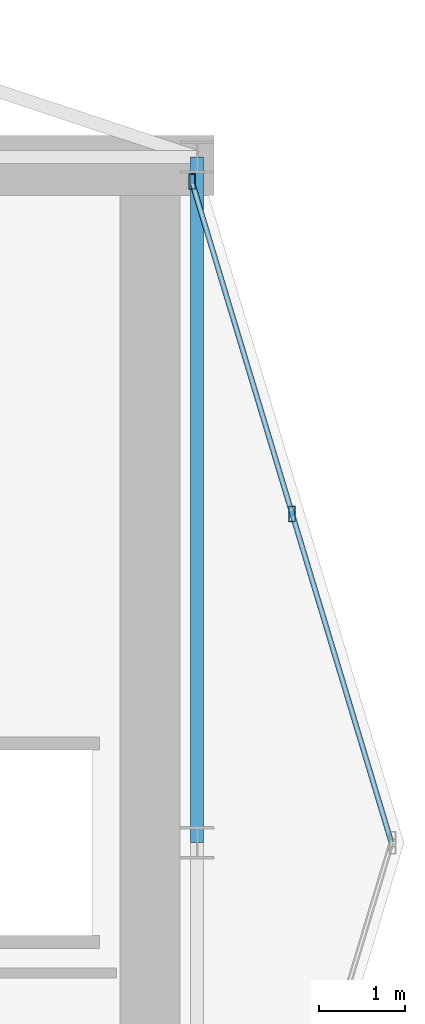
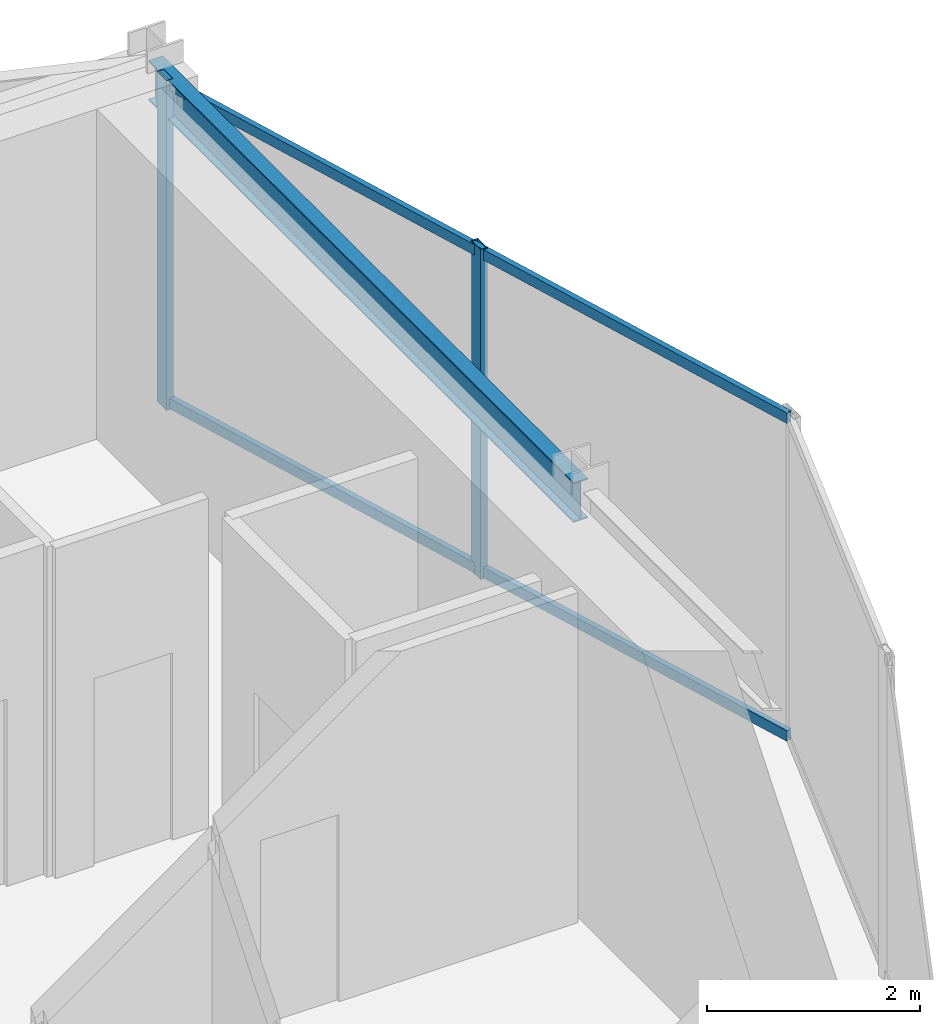
# One storey, part 17 of 23: 4 members, 1 beam, 1 element without a shape of its own.
"""IFC4 building model written with IfcOpenShell, lengths in metres."""

from ifc_helpers import new_model, si_unit, direction, frame, origin, origin_2d, place, context, subcontext, project, spatial, hollow_rectangle, i_section, extrude, material, layer, layer_set, material_profile, profile_set, type_object, element, aggregate, save


model = new_model("IFC4")

# Units and contexts
model_context = context("Model", 3, precision=1e-05, world=origin(), true_north=direction((0.0, 1.0)))
body_context = subcontext(model_context, "Body", "Model", "MODEL_VIEW")
ifc_project = project(units=[si_unit("LENGTHUNIT", "METRE"), si_unit("AREAUNIT", "SQUARE_METRE"), si_unit("VOLUMEUNIT", "CUBIC_METRE"), si_unit("PLANEANGLEUNIT", "RADIAN"), si_unit("MASSUNIT", "GRAM", prefix="KILO")], contexts=[model_context])

# Site, building, storey
site_placement = place(None, origin())
site = spatial("IfcSite", under=ifc_project, at=site_placement, CompositionType="ELEMENT")
building_placement = place(site_placement, origin())
building = spatial("IfcBuilding", under=site, at=building_placement, Name="Veymaron Broadcast Tower", CompositionType="ELEMENT")
storey_placement = place(building_placement, frame((0.0, 0.0, 224.25)))
storey = spatial("IfcBuildingStorey", under=building, at=storey_placement, Name="L52", CompositionType="ELEMENT", Elevation=224.25)

# Beam
ifc_material_1 = material(Name="Structural steel ASTM A992 Gr 50", Category="steel")
ifc_material_profile_1 = material_profile(ifc_material_1, i_section(OverallWidth=0.154052734375, OverallDepth=0.458984375, WebThickness=0.009033203125, FlangeThickness=0.015380859375, at=origin_2d()), Name="W460X68")
ifc_profile_set_1 = profile_set([ifc_material_profile_1], Name="Structural steel ASTM A992 Gr 50")
beam_type = type_object("IfcBeamType", Name="BM-SP2", PredefinedType="SPANDREL", material=ifc_profile_set_1)
beam_placement = place(storey_placement, frame((54.60009765625, 24.0, 3.560546875), z_axis=(0.0, 1.0, 0.0), x_axis=(-1.0, 0.0, 0.0)))
element("IfcBeam", 1, at=beam_placement, inside=storey, type_object=beam_type, Name="L52 primary structural floor girder", PredefinedType="SPANDREL", context=body_context, shape_type="SweptSolid", body=[
    extrude(i_section(OverallWidth=0.154052734375, OverallDepth=0.458984375, WebThickness=0.009033203125, FlangeThickness=0.015380859375, at=origin_2d()), origin(), (0.0, 0.0, 1.0), 8.0),
])

# Curtain wall, members
ifc_material_2 = material(Name="Anodised aluminium AA 6063-T6 and laminated low-E dark glass", Category="aluminium")
ifc_layer = layer(ifc_material_2, 0.179931640625)
ifc_layer_set = layer_set([ifc_layer], Name="Anodised aluminium AA 6063-T6 and laminated low-E dark glass")
curtain_wall_type = type_object("IfcCurtainWallType", Name="CW-SYS-05", PredefinedType="NOTDEFINED", material=ifc_layer_set)
curtain_wall_placement = place(storey_placement, origin())
curtain_wall = element("IfcCurtainWall", 2, at=curtain_wall_placement, inside=storey, type_object=curtain_wall_type, Name="L52 dark-glass curtain wall CW-L52-E3-1", PredefinedType="NOTDEFINED")
ifc_material_3 = material(Name="Anodised aluminium AA 6063-T6", Category="aluminium")
ifc_material_profile_2 = material_profile(ifc_material_3, hollow_rectangle(XDim=0.074951171875, YDim=0.179931640625, WallThickness=0.0048828125, at=origin_2d()), Name="AL180X75X5")
ifc_profile_set_2 = profile_set([ifc_material_profile_2], Name="Anodised aluminium AA 6063-T6")
member_type_1 = type_object("IfcMemberType", Name="CW-MUL-02", PredefinedType="MULLION", material=ifc_profile_set_2)
member_1_placement = place(storey_placement, frame((55.710205078125, 27.837646484375, 0.0), z_axis=(0.0, 0.0, 1.0), x_axis=(1.0, 0.0, 0.0)))
member_1 = element("IfcMember", 3, at=member_1_placement, type_object=member_type_1, Name="CW-L52-E3-1 mullion 1", PredefinedType="MULLION", context=body_context, shape_type="SweptSolid", body=[
    extrude(hollow_rectangle(XDim=0.074951171875, YDim=0.179931640625, WallThickness=0.0048828125, at=origin_2d()), origin(), (0.0, 0.0, 1.0), 3.7900390625),
])
member_2_placement = place(storey_placement, frame((54.53955078125, 31.716064453125, 0.0), z_axis=(0.0, 0.0, 1.0), x_axis=(1.0, 0.0, 0.0)))
member_2 = element("IfcMember", 4, at=member_2_placement, type_object=member_type_1, Name="CW-L52-E3-1 mullion 2", PredefinedType="MULLION", context=body_context, shape_type="SweptSolid", body=[
    extrude(hollow_rectangle(XDim=0.074951171875, YDim=0.179931640625, WallThickness=0.0048828125, at=origin_2d()), origin(), (0.0, 0.0, 1.0), 3.7900390625),
])
ifc_material_profile_3 = material_profile(ifc_material_3, hollow_rectangle(XDim=0.06005859375, YDim=0.1201171875, WallThickness=0.00390625, at=origin_2d()), Name="AL120X60X4")
ifc_profile_set_3 = profile_set([ifc_material_profile_3], Name="Anodised aluminium AA 6063-T6")
member_type_2 = type_object("IfcMemberType", Name="CW-TRN-02", PredefinedType="USERDEFINED", material=ifc_profile_set_3)
member_3_placement = place(storey_placement, frame((56.86669921875, 24.00732421875, 0.070068359375), z_axis=(-0.289007229702, 0.957326914476, 0.0), x_axis=(-0.957326914476, -0.289007229702, 0.0)))
member_3 = element("IfcMember", 5, at=member_3_placement, type_object=member_type_2, Name="CW-L52-E3-1 transom B", ObjectType="TRANSOM", PredefinedType="USERDEFINED", context=body_context, shape_type="SweptSolid", body=[
    extrude(hollow_rectangle(XDim=0.06005859375, YDim=0.1201171875, WallThickness=0.00390625, at=origin_2d()), origin(), (0.0, 0.0, 1.0), 8.00244140625),
])
member_4_placement = place(storey_placement, frame((56.86669921875, 24.00732421875, 3.719970703125), z_axis=(-0.289007229702, 0.957326914476, 0.0), x_axis=(-0.957326914476, -0.289007229702, 0.0)))
member_4 = element("IfcMember", 6, at=member_4_placement, type_object=member_type_2, Name="CW-L52-E3-1 transom T", ObjectType="TRANSOM", PredefinedType="USERDEFINED", context=body_context, shape_type="SweptSolid", body=[
    extrude(hollow_rectangle(XDim=0.06005859375, YDim=0.1201171875, WallThickness=0.00390625, at=origin_2d()), origin(), (0.0, 0.0, 1.0), 8.00244140625),
])
aggregate(curtain_wall, [member_1, member_2, member_3, member_4])

save(model, "model.ifc")
